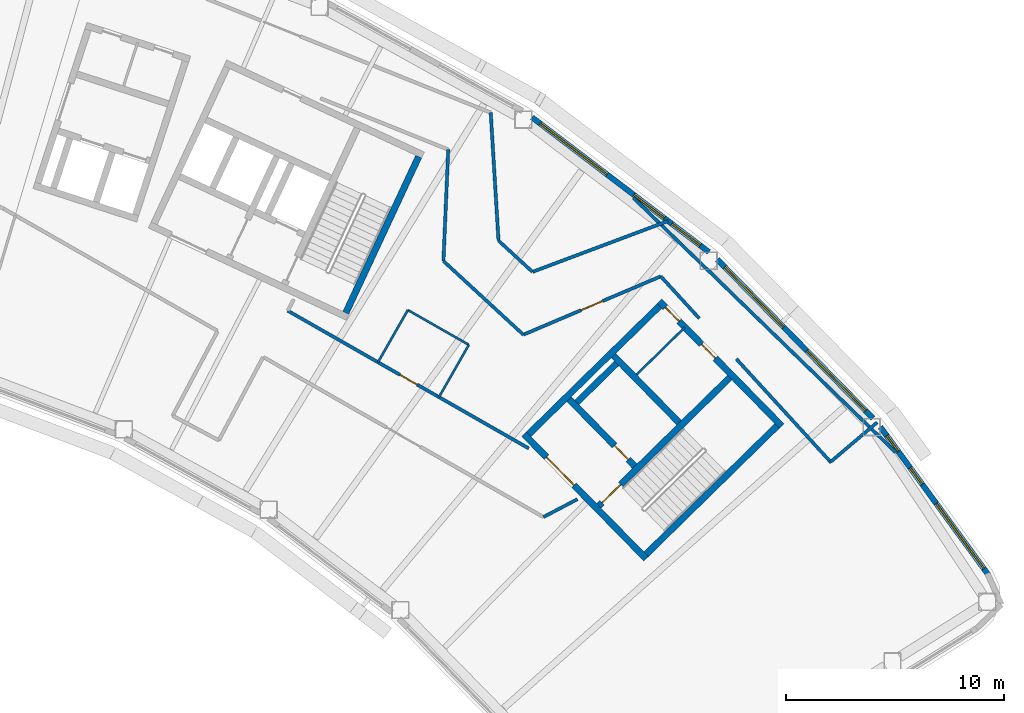
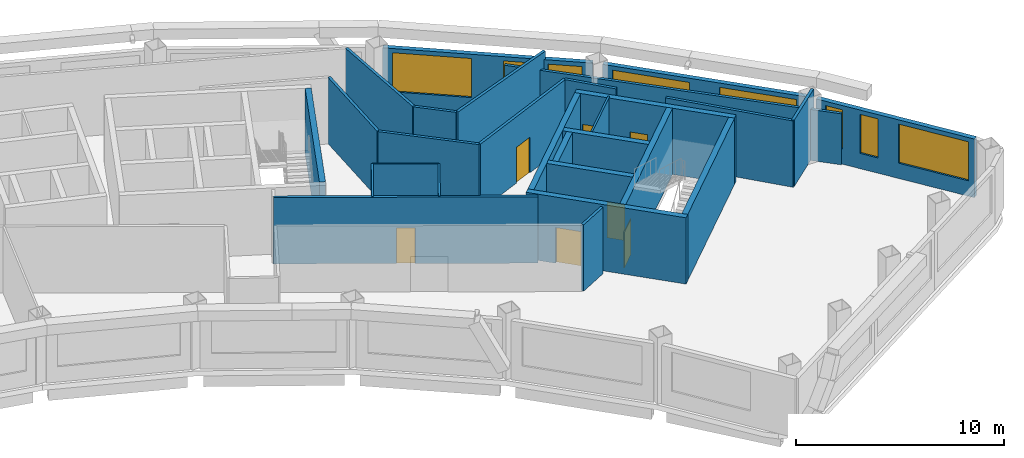
# One storey, part 8 of 15: 28 walls, 8 windows, 7 doors, 15 openings.
"""IFC4 building model written with IfcOpenShell, lengths in metres."""

import ifcopenshell
import ifcopenshell.guid

model = None  # the IFC model being written
_history = None  # IfcOwnerHistory: only IFC2X3 demands one
_inside = {}  # id of a spatial element -> (the spatial element, [elements in it])
_under = {}  # id of a project, library or spatial element -> (it, [spatial elements below it])
_declared = {}  # id of a project -> (the project, [libraries it declares])
_typed = {}  # id of a type object -> (the type object, [elements of that type])
_made_of = {}  # id of a material, layer set ... -> (it, [elements and type objects made of it])


def new_model(schema):
    """Start an empty IFC model of exactly this schema.

    Asked for "IFC4X3", IfcOpenShell would pick the latest addendum, in which some entities
    have other attributes; the version numbers below select the first issue.
    IFC2X3 requires an IfcOwnerHistory on every rooted entity: one is made here for all.
    """
    global model, _history
    if schema == "IFC4X3":
        model = ifcopenshell.file(schema_version=(4, 3, 0, 0))
    else:
        model = ifcopenshell.file(schema=schema)
    _inside.clear()
    _under.clear()
    _declared.clear()
    _typed.clear()
    _made_of.clear()
    _history = None
    if model.schema == "IFC2X3":
        org = make("IfcOrganization", Name="unknown")
        user = make(
            "IfcPersonAndOrganization",
            ThePerson=make("IfcPerson", FamilyName="unknown"),
            TheOrganization=org,
        )
        app = make(
            "IfcApplication",
            ApplicationDeveloper=org,
            Version="unknown",
            ApplicationFullName="unknown",
            ApplicationIdentifier="unknown",
        )
        _history = make(
            "IfcOwnerHistory",
            OwningUser=user,
            OwningApplication=app,
            ChangeAction="ADDED",
            CreationDate=0,
        )
    return model


def make(cls, **values):
    """One entity of the class cls with the attributes given. An attribute that is None is left unset."""
    return model.create_entity(
        cls, **{name: value for name, value in values.items() if value is not None}
    )


def rooted(cls, **values):
    """An entity with a GlobalId (a new one), such as an element, a storey or a relation."""
    return make(cls, GlobalId=ifcopenshell.guid.new(), OwnerHistory=_history, **values)


def si_unit(unit_type, name, prefix=None):
    """IfcSIUnit, for example si_unit("LENGTHUNIT", "METRE", prefix="MILLI")."""
    return make("IfcSIUnit", UnitType=unit_type, Prefix=prefix, Name=name)


def assignment(units):
    """IfcUnitAssignment: the units of a project."""
    return None if units is None else make("IfcUnitAssignment", Units=units)


def point(xyz):
    """IfcCartesianPoint."""
    return None if xyz is None else make("IfcCartesianPoint", Coordinates=xyz)


def direction(xyz):
    """IfcDirection."""
    return None if xyz is None else make("IfcDirection", DirectionRatios=xyz)


def frame(location, z_axis=None, x_axis=None):
    """IfcAxis2Placement3D, a coordinate frame: its origin and axes. An axis left out is left unset."""
    return make(
        "IfcAxis2Placement3D",
        Location=point(location),
        Axis=direction(z_axis),
        RefDirection=direction(x_axis),
    )


def frame_2d(location, x_axis=None):
    """IfcAxis2Placement2D, a coordinate frame in the plane: its origin and x axis."""
    return make(
        "IfcAxis2Placement2D", Location=point(location), RefDirection=direction(x_axis)
    )


def origin():
    """The frame at (0, 0, 0) with its axes left unset."""
    return frame((0.0, 0.0, 0.0))


def place(relative_to, where):
    """IfcLocalPlacement: puts the frame where relative to a parent placement (None: the world)."""
    return make(
        "IfcLocalPlacement", PlacementRelTo=relative_to, RelativePlacement=where
    )


def context(
    kind, dimensions, precision=None, world=None, true_north=None, identifier=None
):
    """IfcGeometricRepresentationContext, for example the 3D "Model" context."""
    return make(
        "IfcGeometricRepresentationContext",
        ContextIdentifier=identifier,
        ContextType=kind,
        CoordinateSpaceDimension=dimensions,
        Precision=precision,
        WorldCoordinateSystem=world,
        TrueNorth=true_north,
    )


def subcontext(parent, identifier, kind, view, scale=None):
    """IfcGeometricRepresentationSubContext, for example "Body" below "Model"."""
    return make(
        "IfcGeometricRepresentationSubContext",
        ContextIdentifier=identifier,
        ContextType=kind,
        ParentContext=parent,
        TargetScale=scale,
        TargetView=view,
    )


def project(units=None, contexts=None):
    """IfcProject with its units and contexts."""
    return rooted(
        "IfcProject",
        Name="project",
        RepresentationContexts=contexts,
        UnitsInContext=assignment(units),
    )


def spatial(cls, under=None, at=None, **own):
    """A site, building, storey or space (cls), placed at a placement, below another one or the project."""
    s = rooted(cls, ObjectPlacement=at, **own)
    if under is not None:
        _under.setdefault(under.id(), (under, []))[1].append(s)
    return s


def profile(cls, at=None, kind="AREA", **sizes):
    """A parametric profile (cls). Its sizes go by their IFC names, for example OverallWidth=200.0."""
    return make(cls, ProfileType=kind, Position=at, **sizes)


def rectangle(**sizes):
    """IfcRectangleProfileDef."""
    return profile("IfcRectangleProfileDef", **sizes)


def extrude(swept, where, along, depth):
    """IfcExtrudedAreaSolid: the profile swept, set in the frame where, extruded along a direction by depth."""
    return make(
        "IfcExtrudedAreaSolid",
        SweptArea=swept,
        Position=where,
        ExtrudedDirection=direction(along),
        Depth=depth,
    )


def shape(context_of_items, identifier, shape_type, items):
    """IfcShapeRepresentation: the items that make up one representation, for example the "Body"."""
    return make(
        "IfcShapeRepresentation",
        ContextOfItems=context_of_items,
        RepresentationIdentifier=identifier,
        RepresentationType=shape_type,
        Items=items,
    )


def material(Name=None, Category=None):
    """IfcMaterial."""
    return make("IfcMaterial", Name=Name, Category=Category)


def layer(
    of_material, thickness, ventilated=None, Name=None, Category=None, Priority=None
):
    """IfcMaterialLayer: one layer of a wall or slab, of a material (None: an air gap)."""
    return make(
        "IfcMaterialLayer",
        Material=of_material,
        LayerThickness=thickness,
        IsVentilated=ventilated,
        Name=Name,
        Category=Category,
        Priority=Priority,
    )


def layer_set(layers, Name=None):
    """IfcMaterialLayerSet."""
    return make("IfcMaterialLayerSet", MaterialLayers=layers, LayerSetName=Name)


def made_of(thing, what):
    """Note that an element or type object is made of a material, layer set ...; save() writes the relation."""
    if what is not None:
        _made_of.setdefault(what.id(), (what, []))[1].append(thing)
    return thing


def type_object(cls, material=None, **own):
    """A type object (cls), such as IfcWallType, which elements share."""
    return made_of(rooted(cls, **own), material)


def element(
    cls,
    number,
    at=None,
    inside=None,
    cuts=None,
    type_object=None,
    material=None,
    context=None,
    identifier="Body",
    shape_type=None,
    held_by="IfcProductDefinitionShape",
    body=None,
    shapes=None,
    **own,
):
    """One element of the class cls, such as IfcWall. Its Tag is "e" and its number.

    at: its placement. inside: the storey or other place that contains it. cuts: it is an
    opening in that element (IfcRelVoidsElement). A single representation is given by context,
    identifier, shape_type and body (its items); several are given by shapes. held_by: the class
    of the entity that holds the representations. save() writes the other relations.
    """
    e = rooted(cls, Tag="e%d" % number, ObjectPlacement=at, **own)
    if body is not None:
        shapes = [shape(context, identifier, shape_type, body)]
    if shapes is not None:
        e.Representation = make(held_by, Representations=shapes)
    if inside is not None:
        _inside.setdefault(inside.id(), (inside, []))[1].append(e)
    if cuts is not None:
        rooted(
            "IfcRelVoidsElement", RelatingBuildingElement=cuts, RelatedOpeningElement=e
        )
    if type_object is not None:
        _typed.setdefault(type_object.id(), (type_object, []))[1].append(e)
    return made_of(e, material)


def fill(opening, filler):
    """IfcRelFillsElement: the door or window that sits in an opening."""
    return rooted(
        "IfcRelFillsElement",
        RelatingOpeningElement=opening,
        RelatedBuildingElement=filler,
    )


def aggregate(whole, parts):
    """IfcRelAggregates: a whole, such as a stair, and the parts it consists of."""
    return rooted("IfcRelAggregates", RelatingObject=whole, RelatedObjects=parts)


def save(model, path):
    """Write the relations noted so far, then the file.

    IfcRelAggregates (storeys below a building ...), IfcRelContainedInSpatialStructure (elements
    in a storey), IfcRelDefinesByType, IfcRelAssociatesMaterial and IfcRelDeclares: one each for
    every whole, place, type object, material and project.
    """
    for whole, parts in _under.values():
        aggregate(whole, parts)
    for where, things in _inside.values():
        rooted(
            "IfcRelContainedInSpatialStructure",
            RelatedElements=things,
            RelatingStructure=where,
        )
    for kind, things in _typed.values():
        rooted("IfcRelDefinesByType", RelatedObjects=things, RelatingType=kind)
    for what, things in _made_of.values():
        rooted("IfcRelAssociatesMaterial", RelatedObjects=things, RelatingMaterial=what)
    for by, libraries in _declared.values():
        rooted("IfcRelDeclares", RelatingContext=by, RelatedDefinitions=libraries)
    model.write(path)


model = new_model("IFC4")

# Units and contexts
model_context = context("Model", 3, precision=1e-05, world=origin(), true_north=direction((0.0, 1.0)))
body_context = subcontext(model_context, "Body", "Model", "MODEL_VIEW")
ifc_project = project(units=[si_unit("LENGTHUNIT", "METRE"), si_unit("AREAUNIT", "SQUARE_METRE"), si_unit("VOLUMEUNIT", "CUBIC_METRE"), si_unit("PLANEANGLEUNIT", "RADIAN"), si_unit("MASSUNIT", "GRAM", prefix="KILO")], contexts=[model_context])

# Site, building, storey
site_placement = place(None, origin())
site = spatial("IfcSite", under=ifc_project, at=site_placement, CompositionType="ELEMENT")
building_placement = place(site_placement, origin())
building = spatial("IfcBuilding", under=site, at=building_placement, Name="Tuul Gate Civic Tower", CompositionType="ELEMENT")
storey_placement = place(building_placement, frame((0.0, 0.0, 332.300048828125)))
storey = spatial("IfcBuildingStorey", under=building, at=storey_placement, Name="Level 75", CompositionType="ELEMENT", Elevation=332.300048828125)

# Wall, opening, door
ifc_material_1 = material(Name="Concrete C50/60", Category="concrete")
ifc_layer_1 = layer(ifc_material_1, 0.300048828125)
ifc_layer_set_1 = layer_set([ifc_layer_1], Name="Concrete C50/60")
wall_type_1 = type_object("IfcWallType", Name="Core wall C50/60", PredefinedType="SHEAR", material=ifc_layer_set_1)
wall_1_placement = place(storey_placement, frame((48.22509765625, -18.327880859375, 0.0), z_axis=(0.0, 0.0, 1.0), x_axis=(-0.700021979774, 0.714121297703, 0.0)))
wall_1 = element("IfcWall", 1, at=wall_1_placement, inside=storey, type_object=wall_type_1, Name="Core wall", PredefinedType="SHEAR", context=body_context, shape_type="SweptSolid", body=[
    extrude(rectangle(XDim=8.0, YDim=0.300048828125, at=frame_2d((4.0, 0.0))), origin(), (0.0, 0.0, 1.0), 3.89990234375),
])
opening_1_placement = place(wall_1_placement, frame((4.72509765625, 0.0, 0.0)))
opening_1 = element("IfcOpeningElement", 2, at=opening_1_placement, cuts=wall_1, Name="Opening LB-E1-LOBBY-1", PredefinedType="OPENING", context=body_context, shape_type="SweptSolid", body=[
    extrude(rectangle(XDim=1.800048828125, YDim=2.10009765625, at=frame_2d((0.89990234375, 1.050048828125))), frame((0.0, 0.16015625, 0.0), z_axis=(0.0, -1.0, 0.0), x_axis=(1.0, 0.0, 0.0)), (0.0, 0.0, 1.0), 0.320068359375),
])
ifc_material_2 = material(Name="Steel", Category="steel")
door_type_1 = type_object("IfcDoorType", Name="Lobby door", OperationType="DOUBLE_DOOR_SINGLE_SWING", PredefinedType="DOOR", material=ifc_material_2)
door_1_placement = place(opening_1_placement, frame((1.800048828125, 0.0, 0.0), z_axis=(0.0, 0.0, 1.0), x_axis=(-1.0, 0.0, 0.0)))
door_1 = element("IfcDoor", 3, at=door_1_placement, inside=storey, type_object=door_type_1, Name="Lobby door E1-LOBBY", OperationType="DOUBLE_DOOR_SINGLE_SWING", OverallHeight=2.10009765625, OverallWidth=1.800048828125, PredefinedType="DOOR", context=body_context, shape_type="SweptSolid", body=[
    extrude(rectangle(XDim=1.800048828125, YDim=2.10009765625, at=frame_2d((0.900146484375, 1.050048828125))), frame((0.0, 0.02490234375, 0.0), z_axis=(0.0, -1.0, 0.0), x_axis=(1.0, 0.0, 0.0)), (0.0, 0.0, 1.0), 0.050048828125),
])
fill(opening_1, door_1)

wall_2_placement = place(storey_placement, frame((47.701904296875, -14.079833984375, 0.0), z_axis=(0.0, 0.0, 1.0), x_axis=(-0.700002721075, 0.714140175657, 0.0)))
wall_2 = element("IfcWall", 4, at=wall_2_placement, inside=storey, type_object=wall_type_1, Name="Core wall", PredefinedType="SHEAR", context=body_context, shape_type="SweptSolid", body=[
    extrude(rectangle(XDim=4.300048828125, YDim=0.300048828125, at=frame_2d((2.14990234375, 0.0))), origin(), (0.0, 0.0, 1.0), 3.89990234375),
])
opening_2_placement = place(wall_2_placement, frame((0.425048828125, 0.0, 0.0)))
opening_2 = element("IfcOpeningElement", 5, at=opening_2_placement, cuts=wall_2, Name="Opening FB-E1A1", PredefinedType="OPENING", context=body_context, shape_type="SweptSolid", body=[
    extrude(rectangle(XDim=0.89990234375, YDim=2.10009765625, at=frame_2d((0.449951171875, 1.050048828125))), frame((0.0, 0.16015625, 0.0), z_axis=(0.0, -1.0, 0.0), x_axis=(1.0, 0.0, 0.0)), (0.0, 0.0, 1.0), 0.320068359375),
])
ifc_material_3 = material(Name="Steel", Category="steel")
door_type_2 = type_object("IfcDoorType", Name="Store door", OperationType="NOTDEFINED", PredefinedType="DOOR", material=ifc_material_3)
door_2_placement = place(opening_2_placement, frame((0.89990234375, 0.0, 0.0), z_axis=(0.0, 0.0, 1.0), x_axis=(-1.0, 0.0, 0.0)))
door_2 = element("IfcDoor", 6, at=door_2_placement, inside=storey, type_object=door_type_2, Name="Store door E1A1", OperationType="SINGLE_SWING_RIGHT", OverallHeight=2.10009765625, OverallWidth=0.89990234375, PredefinedType="DOOR", context=body_context, shape_type="SweptSolid", body=[
    extrude(rectangle(XDim=0.89990234375, YDim=2.10009765625, at=frame_2d((0.449951171875, 1.050048828125))), frame((0.0, 0.02490234375, 0.0), z_axis=(0.0, -1.0, 0.0), x_axis=(1.0, 0.0, 0.0)), (0.0, 0.0, 1.0), 0.050048828125),
])
fill(opening_2, door_2)

# Wall
wall_3_placement = place(storey_placement, frame((49.737060546875, -12.0849609375, 0.0), z_axis=(0.0, 0.0, 1.0), x_axis=(-0.700002721075, 0.714140175657, 0.0)))
element("IfcWall", 7, at=wall_3_placement, inside=storey, type_object=wall_type_1, Name="Core wall", PredefinedType="SHEAR", context=body_context, shape_type="SweptSolid", body=[
    extrude(rectangle(XDim=4.300048828125, YDim=0.300048828125, at=frame_2d((2.14990234375, 0.0))), origin(), (0.0, 0.0, 1.0), 3.89990234375),
])

# Wall, openings, doors
wall_4_placement = place(storey_placement, frame((54.43798828125, -12.23779296875, 0.0), z_axis=(0.0, 0.0, 1.0), x_axis=(-0.700021979774, 0.714121297703, 0.0)))
wall_4 = element("IfcWall", 8, at=wall_4_placement, inside=storey, type_object=wall_type_1, Name="Core wall", PredefinedType="SHEAR", context=body_context, shape_type="SweptSolid", body=[
    extrude(rectangle(XDim=8.0, YDim=0.300048828125, at=frame_2d((4.0, 0.0))), origin(), (0.0, 0.0, 1.0), 3.89990234375),
])
opening_3_placement = place(wall_4_placement, frame((4.34375, 0.0, 0.0)))
opening_3 = element("IfcOpeningElement", 9, at=opening_3_placement, cuts=wall_4, Name="Opening AB-D16", PredefinedType="OPENING", context=body_context, shape_type="SweptSolid", body=[
    extrude(rectangle(XDim=0.89990234375, YDim=2.10009765625, at=frame_2d((0.449951171875, 1.050048828125))), frame((0.0, 0.16015625, 0.0), z_axis=(0.0, -1.0, 0.0), x_axis=(1.0, 0.0, 0.0)), (0.0, 0.0, 1.0), 0.320068359375),
])
opening_4_placement = place(wall_4_placement, frame((6.71875, 0.0, 0.0)))
opening_4 = element("IfcOpeningElement", 10, at=opening_4_placement, cuts=wall_4, Name="Opening AB-D17", PredefinedType="OPENING", context=body_context, shape_type="SweptSolid", body=[
    extrude(rectangle(XDim=0.89990234375, YDim=2.10009765625, at=frame_2d((0.449951171875, 1.050048828125))), frame((0.0, 0.16015625, 0.0), z_axis=(0.0, -1.0, 0.0), x_axis=(1.0, 0.0, 0.0)), (0.0, 0.0, 1.0), 0.320068359375),
])
ifc_material_4 = material(Name="Timber door leaf", Category="wood")
door_type_3 = type_object("IfcDoorType", Name="Door D09", OperationType="NOTDEFINED", PredefinedType="DOOR", material=ifc_material_4)
door_3_placement = place(opening_3_placement, origin())
door_3 = element("IfcDoor", 11, at=door_3_placement, inside=storey, type_object=door_type_3, Name="Door AB-D16", OperationType="SINGLE_SWING_LEFT", OverallHeight=2.10009765625, OverallWidth=0.89990234375, PredefinedType="DOOR", context=body_context, shape_type="SweptSolid", body=[
    extrude(rectangle(XDim=0.89990234375, YDim=2.10009765625, at=frame_2d((0.449951171875, 1.050048828125))), frame((0.0, 0.02490234375, 0.0), z_axis=(0.0, -1.0, 0.0), x_axis=(1.0, 0.0, 0.0)), (0.0, 0.0, 1.0), 0.050048828125),
])
fill(opening_3, door_3)
door_4_placement = place(opening_4_placement, origin())
door_4 = element("IfcDoor", 12, at=door_4_placement, inside=storey, type_object=door_type_3, Name="Door AB-D17", OperationType="SINGLE_SWING_LEFT", OverallHeight=2.10009765625, OverallWidth=0.89990234375, PredefinedType="DOOR", context=body_context, shape_type="SweptSolid", body=[
    extrude(rectangle(XDim=0.89990234375, YDim=2.10009765625, at=frame_2d((0.449951171875, 1.050048828125))), frame((0.0, 0.02490234375, 0.0), z_axis=(0.0, -1.0, 0.0), x_axis=(1.0, 0.0, 0.0)), (0.0, 0.0, 1.0), 0.050048828125),
])
fill(opening_4, door_4)

# Wall
wall_5_placement = place(storey_placement, frame((48.227294921875, -18.115966796875, 0.0), z_axis=(0.0, 0.0, 1.0), x_axis=(0.714105315431, 0.700038283577, 0.0)))
element("IfcWall", 13, at=wall_5_placement, inside=storey, type_object=wall_type_1, Name="Core wall", PredefinedType="SHEAR", context=body_context, shape_type="SweptSolid", body=[
    extrude(rectangle(XDim=8.400146484375, YDim=0.300048828125, at=frame_2d((4.2001953125, 0.0))), origin(), (0.0, 0.0, 1.0), 3.89990234375),
])

# Wall, opening, door
wall_6_placement = place(storey_placement, frame((46.05712890625, -15.902099609375, 0.0), z_axis=(0.0, 0.0, 1.0), x_axis=(0.714134086973, 0.700008932674, 0.0)))
wall_6 = element("IfcWall", 14, at=wall_6_placement, inside=storey, type_object=wall_type_1, Name="Core wall", PredefinedType="SHEAR", context=body_context, shape_type="SweptSolid", body=[
    extrude(rectangle(XDim=8.400146484375, YDim=0.300048828125, at=frame_2d((4.2001953125, 0.0))), origin(), (0.0, 0.0, 1.0), 3.89990234375),
])
opening_5_placement = place(wall_6_placement, frame((0.199951171875, 0.0, 0.0)))
opening_5 = element("IfcOpeningElement", 15, at=opening_5_placement, cuts=wall_6, Name="Opening SD-ST-3", PredefinedType="OPENING", context=body_context, shape_type="SweptSolid", body=[
    extrude(rectangle(XDim=1.199951171875, YDim=2.10009765625, at=frame_2d((0.60009765625, 1.050048828125))), frame((0.0, 0.16015625, 0.0), z_axis=(0.0, -1.0, 0.0), x_axis=(1.0, 0.0, 0.0)), (0.0, 0.0, 1.0), 0.320068359375),
])
ifc_material_5 = material(Name="Steel", Category="steel")
door_type_4 = type_object("IfcDoorType", Name="Stair door", OperationType="NOTDEFINED", PredefinedType="DOOR", material=ifc_material_5)
door_5_placement = place(opening_5_placement, origin())
door_5 = element("IfcDoor", 16, at=door_5_placement, inside=storey, type_object=door_type_4, Name="Stair door ST-3", OperationType="SINGLE_SWING_LEFT", OverallHeight=2.10009765625, OverallWidth=1.199951171875, PredefinedType="DOOR", context=body_context, shape_type="SweptSolid", body=[
    extrude(rectangle(XDim=1.199951171875, YDim=2.10009765625, at=frame_2d((0.60009765625, 1.050048828125))), frame((0.0, 0.02490234375, 0.0), z_axis=(0.0, -1.0, 0.0), x_axis=(1.0, 0.0, 0.0)), (0.0, 0.0, 1.0), 0.050048828125),
])
fill(opening_5, door_5)

# Walls
wall_7_placement = place(storey_placement, frame((45.0439453125, -11.154052734375, 0.0), z_axis=(0.0, 0.0, 1.0), x_axis=(0.714108498262, 0.700035036773, 0.0)))
element("IfcWall", 17, at=wall_7_placement, inside=storey, type_object=wall_type_1, Name="Core wall", PredefinedType="SHEAR", context=body_context, shape_type="SweptSolid", body=[
    extrude(rectangle(XDim=2.550048828125, YDim=0.300048828125, at=frame_2d((1.27490234375, 0.0))), origin(), (0.0, 0.0, 1.0), 3.89990234375),
])
wall_8_placement = place(storey_placement, frame((42.837158203125, -12.616943359375, 0.0), z_axis=(0.0, 0.0, 1.0), x_axis=(0.714119844755, 0.700023461983, 0.0)))
element("IfcWall", 18, at=wall_8_placement, inside=storey, type_object=wall_type_1, Name="Core wall", PredefinedType="SHEAR", context=body_context, shape_type="SweptSolid", body=[
    extrude(rectangle(XDim=8.39990234375, YDim=0.300048828125, at=frame_2d((4.199951171875, 0.0))), origin(), (0.0, 0.0, 1.0), 3.89990234375),
])
wall_9_placement = place(storey_placement, frame((34.455810546875, -7.05078125, 0.0), z_axis=(0.0, 0.0, 1.0), x_axis=(0.422570768258, 0.906329932096, 0.0)))
element("IfcWall", 19, at=wall_9_placement, inside=storey, type_object=wall_type_1, Name="Core wall", PredefinedType="SHEAR", context=body_context, shape_type="SweptSolid", body=[
    extrude(rectangle(XDim=7.900146484375, YDim=0.300048828125, at=frame_2d((3.9501953125, 0.0))), origin(), (0.0, 0.0, 1.0), 3.89990234375),
])
ifc_material_6 = material(Name="Gypsum board partition")
ifc_layer_2 = layer(ifc_material_6, 0.14990234375)
ifc_layer_set_2 = layer_set([ifc_layer_2], Name="Gypsum board partition")
wall_type_2 = type_object("IfcWallType", Name="Corridor wall P150", PredefinedType="PARTITIONING", material=ifc_layer_set_2)
wall_10_placement = place(storey_placement, frame((56.680419921875, -13.884521484375, 0.0), z_axis=(0.0, 0.0, 1.0), x_axis=(0.762827080331, 0.646602540603, 0.0)))
element("IfcWall", 20, at=wall_10_placement, inside=storey, type_object=wall_type_2, Name="p005", PredefinedType="PARTITIONING", context=body_context, shape_type="SweptSolid", body=[
    extrude(rectangle(XDim=2.800048828125, YDim=0.14990234375, at=frame_2d((1.39990234375, 0.0))), origin(), (0.0, 0.0, 1.0), 3.89990234375),
])
wall_11_placement = place(storey_placement, frame((43.022705078125, -5.169677734375, 0.0), z_axis=(0.0, 0.0, 1.0), x_axis=(0.936259625326, 0.351308858391, 0.0)))
element("IfcWall", 21, at=wall_11_placement, inside=storey, type_object=wall_type_2, Name="p008", PredefinedType="PARTITIONING", context=body_context, shape_type="SweptSolid", body=[
    extrude(rectangle(XDim=6.637451171875, YDim=0.14990234375, at=frame_2d((3.31884765625, 0.0))), origin(), (0.0, 0.0, 1.0), 3.89990234375),
])
wall_12_placement = place(storey_placement, frame((41.4609375, -3.74462890625, 0.0), z_axis=(0.0, 0.0, 1.0), x_axis=(0.73520477324, -0.677845071831, 0.0)))
element("IfcWall", 22, at=wall_12_placement, inside=storey, type_object=wall_type_2, Name="p009", PredefinedType="PARTITIONING", context=body_context, shape_type="SweptSolid", body=[
    extrude(rectangle(XDim=2.098388671875, YDim=0.14990234375, at=frame_2d((1.04931640625, 0.0))), origin(), (0.0, 0.0, 1.0), 3.89990234375),
])
wall_13_placement = place(storey_placement, frame((41.09814453125, 2.126708984375, 0.0), z_axis=(0.0, 0.0, 1.0), x_axis=(0.060778723393, -0.99815126448, 0.0)))
element("IfcWall", 23, at=wall_13_placement, inside=storey, type_object=wall_type_2, Name="p010", PredefinedType="PARTITIONING", context=body_context, shape_type="SweptSolid", body=[
    extrude(rectangle(XDim=5.87255859375, YDim=0.14990234375, at=frame_2d((2.936279296875, 0.0))), origin(), (0.0, 0.0, 1.0), 3.89990234375),
])

# Wall, opening, door
wall_14_placement = place(storey_placement, frame((31.793701171875, -6.953857421875, 0.0), z_axis=(0.0, 0.0, 1.0), x_axis=(0.868275010621, -0.496083164329, 0.0)))
wall_14 = element("IfcWall", 24, at=wall_14_placement, inside=storey, type_object=wall_type_2, Name="p015", PredefinedType="PARTITIONING", context=body_context, shape_type="SweptSolid", body=[
    extrude(rectangle(XDim=12.72802734375, YDim=0.14990234375, at=frame_2d((6.364013671875, 0.0))), origin(), (0.0, 0.0, 1.0), 3.89990234375),
])
opening_6_placement = place(wall_14_placement, frame((5.923583984375, 0.0, 0.0)))
opening_6 = element("IfcOpeningElement", 25, at=opening_6_placement, cuts=wall_14, Name="Opening AB-D09", PredefinedType="OPENING", context=body_context, shape_type="SweptSolid", body=[
    extrude(rectangle(XDim=0.89990234375, YDim=2.10009765625, at=frame_2d((0.449951171875, 1.050048828125))), frame((0.0, 0.0849609375, 0.0), z_axis=(0.0, -1.0, 0.0), x_axis=(1.0, 0.0, 0.0)), (0.0, 0.0, 1.0), 0.169921875),
])
door_6_placement = place(opening_6_placement, origin())
door_6 = element("IfcDoor", 26, at=door_6_placement, inside=storey, type_object=door_type_3, Name="Door AB-D09", OperationType="SINGLE_SWING_RIGHT", OverallHeight=2.10009765625, OverallWidth=0.89990234375, PredefinedType="DOOR", context=body_context, shape_type="SweptSolid", body=[
    extrude(rectangle(XDim=0.89990234375, YDim=2.10009765625, at=frame_2d((0.449951171875, 1.050048828125))), frame((0.0, 0.02490234375, 0.0), z_axis=(0.0, -1.0, 0.0), x_axis=(1.0, 0.0, 0.0)), (0.0, 0.0, 1.0), 0.050048828125),
])
fill(opening_6, door_6)

# Walls
wall_15_placement = place(storey_placement, frame((48.8955078125, -5.377685546875, 0.0), z_axis=(0.0, 0.0, 1.0), x_axis=(0.674981058804, -0.737835056267, 0.0)))
element("IfcWall", 27, at=wall_15_placement, inside=storey, type_object=wall_type_2, Name="p034", PredefinedType="PARTITIONING", context=body_context, shape_type="SweptSolid", body=[
    extrude(rectangle(XDim=2.617919921875, YDim=0.14990234375, at=frame_2d((1.30908203125, 0.0))), origin(), (0.0, 0.0, 1.0), 3.89990234375),
])
wall_16_placement = place(storey_placement, frame((52.35595703125, -9.160400390625, 0.0), z_axis=(0.0, 0.0, 1.0), x_axis=(0.675011270059, -0.737807417484, 0.0)))
element("IfcWall", 28, at=wall_16_placement, inside=storey, type_object=wall_type_2, Name="p035", PredefinedType="PARTITIONING", context=body_context, shape_type="SweptSolid", body=[
    extrude(rectangle(XDim=6.449951171875, YDim=0.14990234375, at=frame_2d((3.22509765625, 0.0))), origin(), (0.0, 0.0, 1.0), 3.89990234375),
])
wall_17_placement = place(storey_placement, frame((43.513427734375, -16.4140625, 0.0), z_axis=(0.0, 0.0, 1.0), x_axis=(0.885532234034, 0.464577940164, 0.0)))
element("IfcWall", 29, at=wall_17_placement, inside=storey, type_object=wall_type_2, Name="p042", PredefinedType="PARTITIONING", context=body_context, shape_type="SweptSolid", body=[
    extrude(rectangle(XDim=1.75732421875, YDim=0.14990234375, at=frame_2d((0.878662109375, 0.0))), origin(), (0.0, 0.0, 1.0), 3.89990234375),
])

# Wall, opening, door
wall_18_placement = place(storey_placement, frame((42.593505859375, -8.05322265625, 0.0), z_axis=(0.0, 0.0, 1.0), x_axis=(0.920478795209, 0.390792512172, 0.0)))
wall_18 = element("IfcWall", 30, at=wall_18_placement, inside=storey, type_object=wall_type_2, Name="p076", PredefinedType="PARTITIONING", context=body_context, shape_type="SweptSolid", body=[
    extrude(rectangle(XDim=6.846435546875, YDim=0.14990234375, at=frame_2d((3.42333984375, 0.0))), origin(), (0.0, 0.0, 1.0), 3.89990234375),
])
opening_7_placement = place(wall_18_placement, frame((2.873291015625, 0.0, 0.0)))
opening_7 = element("IfcOpeningElement", 31, at=opening_7_placement, cuts=wall_18, Name="Opening AB-D13", PredefinedType="OPENING", context=body_context, shape_type="SweptSolid", body=[
    extrude(rectangle(XDim=1.10009765625, YDim=2.10009765625, at=frame_2d((0.550048828125, 1.050048828125))), frame((0.0, 0.0849609375, 0.0), z_axis=(0.0, -1.0, 0.0), x_axis=(1.0, 0.0, 0.0)), (0.0, 0.0, 1.0), 0.169921875),
])
ifc_material_7 = material(Name="Timber door leaf", Category="wood")
door_type_5 = type_object("IfcDoorType", Name="Door D11", OperationType="NOTDEFINED", PredefinedType="DOOR", material=ifc_material_7)
door_7_placement = place(opening_7_placement, frame((1.10009765625, 0.0, 0.0), z_axis=(0.0, 0.0, 1.0), x_axis=(-1.0, 0.0, 0.0)))
door_7 = element("IfcDoor", 32, at=door_7_placement, inside=storey, type_object=door_type_5, Name="Door AB-D13", OperationType="SINGLE_SWING_LEFT", OverallHeight=2.10009765625, OverallWidth=1.10009765625, PredefinedType="DOOR", context=body_context, shape_type="SweptSolid", body=[
    extrude(rectangle(XDim=1.10009765625, YDim=2.10009765625, at=frame_2d((0.550048828125, 1.050048828125))), frame((0.0, 0.02490234375, 0.0), z_axis=(0.0, -1.0, 0.0), x_axis=(1.0, 0.0, 0.0)), (0.0, 0.0, 1.0), 0.050048828125),
])
fill(opening_7, door_7)

# Walls
wall_19_placement = place(storey_placement, frame((38.930419921875, -4.676025390625, 0.0), z_axis=(0.0, 0.0, 1.0), x_axis=(0.735214732074, -0.677834270114, 0.0)))
element("IfcWall", 33, at=wall_19_placement, inside=storey, type_object=wall_type_2, Name="p077", PredefinedType="PARTITIONING", context=body_context, shape_type="SweptSolid", body=[
    extrude(rectangle(XDim=4.982421875, YDim=0.14990234375, at=frame_2d((2.4912109375, 0.0))), origin(), (0.0, 0.0, 1.0), 3.89990234375),
])
wall_20_placement = place(storey_placement, frame((38.930419921875, -4.676025390625, 0.0), z_axis=(0.0, 0.0, 1.0), x_axis=(0.042938252955, 0.999077727924, 0.0)))
element("IfcWall", 34, at=wall_20_placement, inside=storey, type_object=wall_type_2, Name="p078", PredefinedType="PARTITIONING", context=body_context, shape_type="SweptSolid", body=[
    extrude(rectangle(XDim=5.1171875, YDim=0.14990234375, at=frame_2d((2.55859375, 0.0))), origin(), (0.0, 0.0, 1.0), 3.89990234375),
])
ifc_material_8 = material(Name="Gypsum board partition")
ifc_layer_3 = layer(ifc_material_8, 0.14990234375)
ifc_layer_set_3 = layer_set([ifc_layer_3], Name="Gypsum board partition")
wall_type_3 = type_object("IfcWallType", Name="Corridor wall P150 3000 HIGH", PredefinedType="PARTITIONING", material=ifc_layer_set_3)
wall_21_placement = place(storey_placement, frame((47.64111328125, -1.7802734375, 0.0), z_axis=(0.0, 0.0, 1.0), x_axis=(0.717632546103, -0.696421947367, 0.0)))
element("IfcWall", 35, at=wall_21_placement, inside=storey, type_object=wall_type_3, Name="p007", PredefinedType="PARTITIONING", context=body_context, shape_type="SweptSolid", body=[
    extrude(rectangle(XDim=16.74755859375, YDim=0.14990234375, at=frame_2d((8.373779296875, 0.0))), origin(), (0.0, 0.0, 1.0), 3.0),
])

# Wall, openings, windows
ifc_material_9 = material(Name="Precast concrete C40/50", Category="concrete")
ifc_layer_4 = layer(ifc_material_9, 0.25)
ifc_layer_set_4 = layer_set([ifc_layer_4], Name="Precast concrete C40/50")
wall_type_4 = type_object("IfcWallType", Name="External wall", PredefinedType="STANDARD", material=ifc_layer_set_4)
wall_22_placement = place(storey_placement, frame((63.881103515625, -19.017822265625, 0.0), z_axis=(0.0, 0.0, 1.0), x_axis=(-0.58975151757, 0.80758476182, 0.0)))
wall_22 = element("IfcWall", 36, at=wall_22_placement, inside=storey, type_object=wall_type_4, Name="External wall", PredefinedType="STANDARD", context=body_context, shape_type="SweptSolid", body=[
    extrude(rectangle(XDim=8.33740234375, YDim=0.25, at=frame_2d((4.168701171875, 0.0))), origin(), (0.0, 0.0, 1.0), 3.449951171875),
])
opening_8_placement = place(wall_22_placement, frame((0.30078125, 0.0, 0.89990234375)))
opening_8 = element("IfcOpeningElement", 37, at=opening_8_placement, cuts=wall_22, Name="Opening W21", PredefinedType="OPENING", context=body_context, shape_type="SweptSolid", body=[
    extrude(rectangle(XDim=3.699951171875, YDim=2.300048828125, at=frame_2d((1.85009765625, 1.14990234375))), frame((0.0, 0.135009765625, 0.0), z_axis=(0.0, -1.0, 0.0), x_axis=(1.0, 0.0, 0.0)), (0.0, 0.0, 1.0), 0.27001953125),
])
opening_9_placement = place(wall_22_placement, frame((5.077392578125, 0.0, 0.89990234375)))
opening_9 = element("IfcOpeningElement", 38, at=opening_9_placement, cuts=wall_22, Name="Opening W71", PredefinedType="OPENING", context=body_context, shape_type="SweptSolid", body=[
    extrude(rectangle(XDim=0.949951171875, YDim=2.300048828125, at=frame_2d((0.47509765625, 1.14990234375))), frame((0.0, 0.135009765625, 0.0), z_axis=(0.0, -1.0, 0.0), x_axis=(1.0, 0.0, 0.0)), (0.0, 0.0, 1.0), 0.27001953125),
])
opening_10_placement = place(wall_22_placement, frame((6.94091796875, 0.0, 0.89990234375)))
opening_10 = element("IfcOpeningElement", 39, at=opening_10_placement, cuts=wall_22, Name="Opening W73", PredefinedType="OPENING", context=body_context, shape_type="SweptSolid", body=[
    extrude(rectangle(XDim=0.89990234375, YDim=2.300048828125, at=frame_2d((0.449951171875, 1.14990234375))), frame((0.0, 0.135009765625, 0.0), z_axis=(0.0, -1.0, 0.0), x_axis=(1.0, 0.0, 0.0)), (0.0, 0.0, 1.0), 0.27001953125),
])
ifc_material_10 = material(Name="Glass", Category="glass")
window_type_1 = type_object("IfcWindowType", Name="Window 900 x 2300", PartitioningType="SINGLE_PANEL", PredefinedType="WINDOW", material=ifc_material_10)
window_1_placement = place(opening_10_placement, origin())
window_1 = element("IfcWindow", 40, at=window_1_placement, inside=storey, type_object=window_type_1, Name="Window", OverallHeight=2.300048828125, OverallWidth=0.89990234375, PartitioningType="SINGLE_PANEL", PredefinedType="WINDOW", context=body_context, shape_type="SweptSolid", body=[
    extrude(rectangle(XDim=0.89990234375, YDim=2.300048828125, at=frame_2d((0.449951171875, 1.14990234375))), frame((0.0, 0.030029296875, 0.0), z_axis=(0.0, -1.0, 0.0), x_axis=(1.0, 0.0, 0.0)), (0.0, 0.0, 1.0), 0.06005859375),
])
fill(opening_10, window_1)
ifc_material_11 = material(Name="Glass", Category="glass")
window_type_2 = type_object("IfcWindowType", Name="Window 950 x 2300", PartitioningType="SINGLE_PANEL", PredefinedType="WINDOW", material=ifc_material_11)
window_2_placement = place(opening_9_placement, origin())
window_2 = element("IfcWindow", 41, at=window_2_placement, inside=storey, type_object=window_type_2, Name="Window", OverallHeight=2.300048828125, OverallWidth=0.949951171875, PartitioningType="SINGLE_PANEL", PredefinedType="WINDOW", context=body_context, shape_type="SweptSolid", body=[
    extrude(rectangle(XDim=0.949951171875, YDim=2.300048828125, at=frame_2d((0.47509765625, 1.14990234375))), frame((0.0, 0.030029296875, 0.0), z_axis=(0.0, -1.0, 0.0), x_axis=(1.0, 0.0, 0.0)), (0.0, 0.0, 1.0), 0.06005859375),
])
fill(opening_9, window_2)
ifc_material_12 = material(Name="Glass", Category="glass")
window_type_3 = type_object("IfcWindowType", Name="Window W21 3700 x 2300", PartitioningType="SINGLE_PANEL", PredefinedType="WINDOW", material=ifc_material_12)
window_3_placement = place(opening_8_placement, origin())
window_3 = element("IfcWindow", 42, at=window_3_placement, inside=storey, type_object=window_type_3, Name="Window", OverallHeight=2.300048828125, OverallWidth=3.699951171875, PartitioningType="SINGLE_PANEL", PredefinedType="WINDOW", context=body_context, shape_type="SweptSolid", body=[
    extrude(rectangle(XDim=3.699951171875, YDim=2.300048828125, at=frame_2d((1.85009765625, 1.14990234375))), frame((0.0, 0.030029296875, 0.0), z_axis=(0.0, -1.0, 0.0), x_axis=(1.0, 0.0, 0.0)), (0.0, 0.0, 1.0), 0.06005859375),
])
fill(opening_8, window_3)

wall_23_placement = place(storey_placement, frame((58.627197265625, -11.887939453125, 0.0), z_axis=(0.0, 0.0, 1.0), x_axis=(-0.700055609081, 0.714088330807, 0.0)))
wall_23 = element("IfcWall", 43, at=wall_23_placement, inside=storey, type_object=wall_type_4, Name="External wall", PredefinedType="STANDARD", context=body_context, shape_type="SweptSolid", body=[
    extrude(rectangle(XDim=10.1953125, YDim=0.25, at=frame_2d((5.09765625, 0.0))), origin(), (0.0, 0.0, 1.0), 3.449951171875),
])
opening_11_placement = place(wall_23_placement, frame((0.48681640625, 0.0, 0.89990234375)))
opening_11 = element("IfcOpeningElement", 44, at=opening_11_placement, cuts=wall_23, Name="Opening W22", PredefinedType="OPENING", context=body_context, shape_type="SweptSolid", body=[
    extrude(rectangle(XDim=3.85009765625, YDim=2.300048828125, at=frame_2d((1.925048828125, 1.14990234375))), frame((0.0, 0.135009765625, 0.0), z_axis=(0.0, -1.0, 0.0), x_axis=(1.0, 0.0, 0.0)), (0.0, 0.0, 1.0), 0.27001953125),
])
opening_12_placement = place(wall_23_placement, frame((5.85791015625, 0.0, 0.89990234375)))
opening_12 = element("IfcOpeningElement", 45, at=opening_12_placement, cuts=wall_23, Name="Opening W22", PredefinedType="OPENING", context=body_context, shape_type="SweptSolid", body=[
    extrude(rectangle(XDim=3.85009765625, YDim=2.300048828125, at=frame_2d((1.925048828125, 1.14990234375))), frame((0.0, 0.135009765625, 0.0), z_axis=(0.0, -1.0, 0.0), x_axis=(1.0, 0.0, 0.0)), (0.0, 0.0, 1.0), 0.27001953125),
])
ifc_material_13 = material(Name="Glass", Category="glass")
window_type_4 = type_object("IfcWindowType", Name="Window W22 3850 x 2300", PartitioningType="SINGLE_PANEL", PredefinedType="WINDOW", material=ifc_material_13)
window_4_placement = place(opening_11_placement, origin())
window_4 = element("IfcWindow", 46, at=window_4_placement, inside=storey, type_object=window_type_4, Name="Window", OverallHeight=2.300048828125, OverallWidth=3.85009765625, PartitioningType="SINGLE_PANEL", PredefinedType="WINDOW", context=body_context, shape_type="SweptSolid", body=[
    extrude(rectangle(XDim=3.85009765625, YDim=2.300048828125, at=frame_2d((1.925048828125, 1.14990234375))), frame((0.0, 0.030029296875, 0.0), z_axis=(0.0, -1.0, 0.0), x_axis=(1.0, 0.0, 0.0)), (0.0, 0.0, 1.0), 0.06005859375),
])
fill(opening_11, window_4)
window_5_placement = place(opening_12_placement, origin())
window_5 = element("IfcWindow", 47, at=window_5_placement, inside=storey, type_object=window_type_4, Name="Window", OverallHeight=2.300048828125, OverallWidth=3.85009765625, PartitioningType="SINGLE_PANEL", PredefinedType="WINDOW", context=body_context, shape_type="SweptSolid", body=[
    extrude(rectangle(XDim=3.85009765625, YDim=2.300048828125, at=frame_2d((1.925048828125, 1.14990234375))), frame((0.0, 0.030029296875, 0.0), z_axis=(0.0, -1.0, 0.0), x_axis=(1.0, 0.0, 0.0)), (0.0, 0.0, 1.0), 0.06005859375),
])
fill(opening_12, window_5)

wall_24_placement = place(storey_placement, frame((51.100341796875, -4.262939453125, 0.0), z_axis=(0.0, 0.0, 1.0), x_axis=(-0.795619798905, 0.605796282252, 0.0)))
wall_24 = element("IfcWall", 48, at=wall_24_placement, inside=storey, type_object=wall_type_4, Name="External wall", PredefinedType="STANDARD", context=body_context, shape_type="SweptSolid", body=[
    extrude(rectangle(XDim=10.18896484375, YDim=0.25, at=frame_2d((5.094482421875, 0.0))), origin(), (0.0, 0.0, 1.0), 3.449951171875),
])
opening_13_placement = place(wall_24_placement, frame((5.865478515625, 0.0, 0.89990234375)))
opening_13 = element("IfcOpeningElement", 49, at=opening_13_placement, cuts=wall_24, Name="Opening W22", PredefinedType="OPENING", context=body_context, shape_type="SweptSolid", body=[
    extrude(rectangle(XDim=3.85009765625, YDim=2.300048828125, at=frame_2d((1.925048828125, 1.14990234375))), frame((0.0, 0.135009765625, 0.0), z_axis=(0.0, -1.0, 0.0), x_axis=(1.0, 0.0, 0.0)), (0.0, 0.0, 1.0), 0.27001953125),
])
opening_14_placement = place(wall_24_placement, frame((0.4951171875, 0.0, 0.89990234375)))
opening_14 = element("IfcOpeningElement", 50, at=opening_14_placement, cuts=wall_24, Name="Opening W55", PredefinedType="OPENING", context=body_context, shape_type="SweptSolid", body=[
    extrude(rectangle(XDim=1.64990234375, YDim=2.300048828125, at=frame_2d((0.824951171875, 1.14990234375))), frame((0.0, 0.135009765625, 0.0), z_axis=(0.0, -1.0, 0.0), x_axis=(1.0, 0.0, 0.0)), (0.0, 0.0, 1.0), 0.27001953125),
])
opening_15_placement = place(wall_24_placement, frame((2.570068359375, 0.0, 0.89990234375)))
opening_15 = element("IfcOpeningElement", 51, at=opening_15_placement, cuts=wall_24, Name="Opening W67", PredefinedType="OPENING", context=body_context, shape_type="SweptSolid", body=[
    extrude(rectangle(XDim=1.75, YDim=2.300048828125, at=frame_2d((0.875, 1.14990234375))), frame((0.0, 0.135009765625, 0.0), z_axis=(0.0, -1.0, 0.0), x_axis=(1.0, 0.0, 0.0)), (0.0, 0.0, 1.0), 0.27001953125),
])
ifc_material_14 = material(Name="Glass", Category="glass")
window_type_5 = type_object("IfcWindowType", Name="Window 1650 x 2300", PartitioningType="SINGLE_PANEL", PredefinedType="WINDOW", material=ifc_material_14)
window_6_placement = place(opening_14_placement, origin())
window_6 = element("IfcWindow", 52, at=window_6_placement, inside=storey, type_object=window_type_5, Name="Window", OverallHeight=2.300048828125, OverallWidth=1.64990234375, PartitioningType="SINGLE_PANEL", PredefinedType="WINDOW", context=body_context, shape_type="SweptSolid", body=[
    extrude(rectangle(XDim=1.64990234375, YDim=2.300048828125, at=frame_2d((0.824951171875, 1.14990234375))), frame((0.0, 0.030029296875, 0.0), z_axis=(0.0, -1.0, 0.0), x_axis=(1.0, 0.0, 0.0)), (0.0, 0.0, 1.0), 0.06005859375),
])
fill(opening_14, window_6)
ifc_material_15 = material(Name="Glass", Category="glass")
window_type_6 = type_object("IfcWindowType", Name="Window 1750 x 2300", PartitioningType="SINGLE_PANEL", PredefinedType="WINDOW", material=ifc_material_15)
window_7_placement = place(opening_15_placement, origin())
window_7 = element("IfcWindow", 53, at=window_7_placement, inside=storey, type_object=window_type_6, Name="Window", OverallHeight=2.300048828125, OverallWidth=1.75, PartitioningType="SINGLE_PANEL", PredefinedType="WINDOW", context=body_context, shape_type="SweptSolid", body=[
    extrude(rectangle(XDim=1.75, YDim=2.300048828125, at=frame_2d((0.875, 1.14990234375))), frame((0.0, 0.030029296875, 0.0), z_axis=(0.0, -1.0, 0.0), x_axis=(1.0, 0.0, 0.0)), (0.0, 0.0, 1.0), 0.06005859375),
])
fill(opening_15, window_7)
window_8_placement = place(opening_13_placement, origin())
window_8 = element("IfcWindow", 54, at=window_8_placement, inside=storey, type_object=window_type_4, Name="Window", OverallHeight=2.300048828125, OverallWidth=3.85009765625, PartitioningType="SINGLE_PANEL", PredefinedType="WINDOW", context=body_context, shape_type="SweptSolid", body=[
    extrude(rectangle(XDim=3.85009765625, YDim=2.300048828125, at=frame_2d((1.925048828125, 1.14990234375))), frame((0.0, 0.030029296875, 0.0), z_axis=(0.0, -1.0, 0.0), x_axis=(1.0, 0.0, 0.0)), (0.0, 0.0, 1.0), 0.06005859375),
])
fill(opening_13, window_8)

# Walls
ifc_material_16 = material(Name="Gypsum board partition")
ifc_layer_5 = layer(ifc_material_16, 0.10009765625)
ifc_layer_set_5 = layer_set([ifc_layer_5], Name="Gypsum board partition")
wall_type_5 = type_object("IfcWallType", Name="Partition P100", PredefinedType="PARTITIONING", material=ifc_layer_set_5)
wall_25_placement = place(storey_placement, frame((35.9296875, -9.31689453125, 0.0), z_axis=(0.0, 0.0, 1.0), x_axis=(0.496167517206, 0.868226810729, 0.0)))
element("IfcWall", 55, at=wall_25_placement, inside=storey, type_object=wall_type_5, Name="p070", PredefinedType="PARTITIONING", context=body_context, shape_type="SweptSolid", body=[
    extrude(rectangle(XDim=2.760009765625, YDim=0.10009765625, at=frame_2d((1.3798828125, 0.0))), origin(), (0.0, 0.0, 1.0), 3.89990234375),
])
wall_26_placement = place(storey_placement, frame((37.299072265625, -6.920654296875, 0.0), z_axis=(0.0, 0.0, 1.0), x_axis=(0.868275800608, -0.496081781643, 0.0)))
element("IfcWall", 56, at=wall_26_placement, inside=storey, type_object=wall_type_5, Name="p071", PredefinedType="PARTITIONING", context=body_context, shape_type="SweptSolid", body=[
    extrude(rectangle(XDim=3.219970703125, YDim=0.10009765625, at=frame_2d((1.60986328125, 0.0))), origin(), (0.0, 0.0, 1.0), 3.89990234375),
])
wall_27_placement = place(storey_placement, frame((38.7255859375, -10.914306640625, 0.0), z_axis=(0.0, 0.0, 1.0), x_axis=(0.496167517206, 0.868226810729, 0.0)))
element("IfcWall", 57, at=wall_27_placement, inside=storey, type_object=wall_type_5, Name="p072", PredefinedType="PARTITIONING", context=body_context, shape_type="SweptSolid", body=[
    extrude(rectangle(XDim=2.760009765625, YDim=0.10009765625, at=frame_2d((1.3798828125, 0.0))), origin(), (0.0, 0.0, 1.0), 3.89990234375),
])
wall_28_placement = place(storey_placement, frame((47.787841796875, -9.882080078125, 0.0), z_axis=(0.0, 0.0, 1.0), x_axis=(0.714119924869, 0.700023380256, 0.0)))
element("IfcWall", 58, at=wall_28_placement, inside=storey, type_object=wall_type_5, Name="bE1-BAND-0", PredefinedType="PARTITIONING", context=body_context, shape_type="SweptSolid", body=[
    extrude(rectangle(XDim=3.10009765625, YDim=0.10009765625, at=frame_2d((1.550048828125, 0.0))), origin(), (0.0, 0.0, 1.0), 3.89990234375),
])

save(model, "model.ifc")
